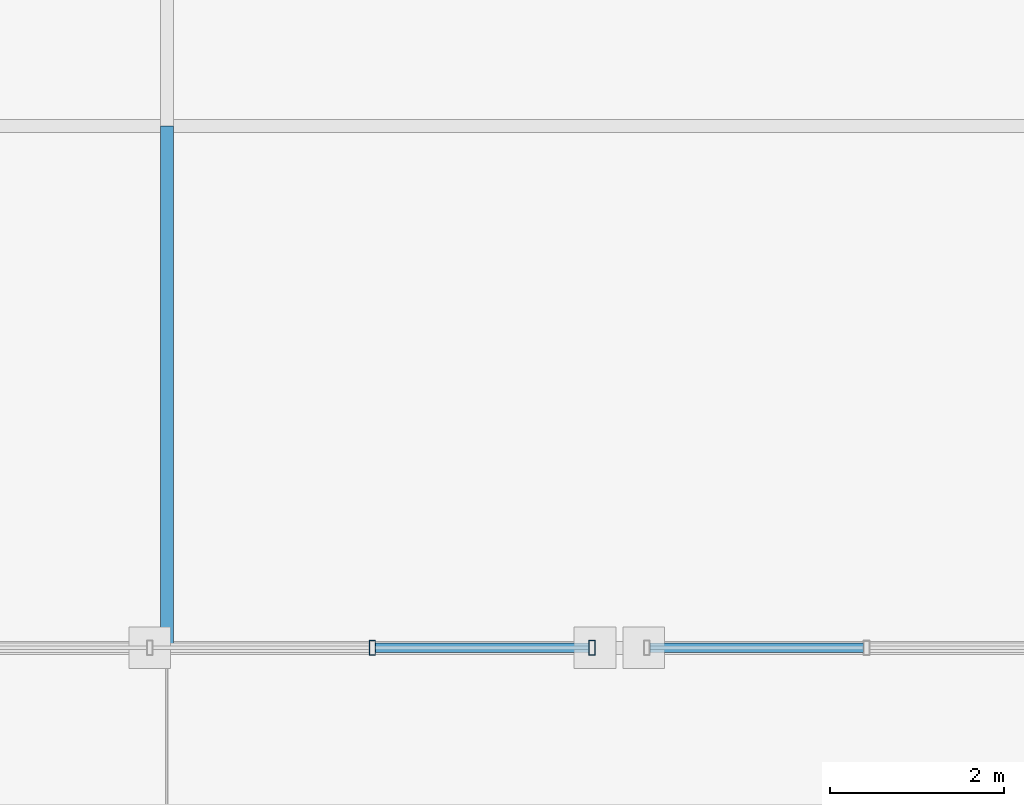
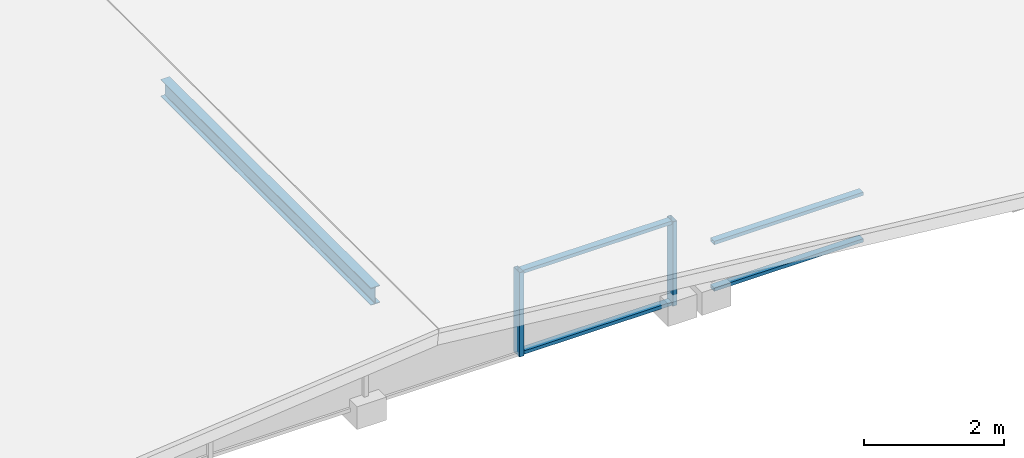
# One storey, part 46 of 117: 7 members, 2 elements without a shape of their own.
"""IFC4 building model written with IfcOpenShell, lengths in metres."""

from ifc_helpers import new_model, si_unit, direction, frame, origin, origin_2d, place, context, subcontext, project, spatial, hollow_rectangle, i_section, extrude, material, material_profile, profile_set, type_object, element, aggregate, save


model = new_model("IFC4")

# Units and contexts
model_context = context("Model", 3, precision=1e-05, world=origin(), true_north=direction((0.0, 1.0)))
body_context = subcontext(model_context, "Body", "Model", "MODEL_VIEW")
ifc_project = project(units=[si_unit("LENGTHUNIT", "METRE"), si_unit("AREAUNIT", "SQUARE_METRE"), si_unit("VOLUMEUNIT", "CUBIC_METRE"), si_unit("PLANEANGLEUNIT", "RADIAN"), si_unit("MASSUNIT", "GRAM", prefix="KILO")], contexts=[model_context])

# Site, building, storey
site_placement = place(None, origin())
site = spatial("IfcSite", under=ifc_project, at=site_placement, CompositionType="ELEMENT")
building_placement = place(site_placement, origin())
building = spatial("IfcBuilding", under=site, at=building_placement, Name="Merenkruunu Market Hall", CompositionType="ELEMENT")
storey_placement = place(building_placement, frame((0.0, 0.0, 22.800048828125)))
storey = spatial("IfcBuildingStorey", under=building, at=storey_placement, Name="RF", CompositionType="ELEMENT", Elevation=22.800048828125)

# Curtain wall, members
ifc_material_1 = material(Name="Powder-coated aluminium", Category="aluminium")
curtain_wall_type = type_object("IfcCurtainWallType", Name="Clerestory Curtain Band CL03", PredefinedType="USERDEFINED", material=ifc_material_1)
curtain_wall_1_placement = place(storey_placement, origin())
curtain_wall_1 = element("IfcCurtainWall", 1, at=curtain_wall_1_placement, inside=storey, type_object=curtain_wall_type, Name="CW-RF-CWM04-244", ObjectType="CLERESTORY_BAND", PredefinedType="USERDEFINED")
ifc_material_profile_1 = material_profile(ifc_material_1, hollow_rectangle(XDim=0.070068359375, YDim=0.169921875, WallThickness=0.0048828125, at=origin_2d()), Name="ALU 70x170x5")
ifc_profile_set_1 = profile_set([ifc_material_profile_1], Name="Powder-coated aluminium")
member_type_1 = type_object("IfcMemberType", Name="Curtain Wall Mullion CWM04", PredefinedType="MULLION", material=ifc_profile_set_1)
member_1_placement = place(storey_placement, frame((180.885009765625, 0.0, -1.719970703125), z_axis=(0.0, 0.0, 1.0), x_axis=(-1.0, 0.0, 0.0)))
member_1 = element("IfcMember", 2, at=member_1_placement, type_object=member_type_1, Name="CL03 mullion 1", PredefinedType="MULLION", context=body_context, shape_type="SweptSolid", body=[
    extrude(hollow_rectangle(XDim=0.070068359375, YDim=0.169921875, WallThickness=0.0048828125, at=origin_2d()), origin(), (0.0, 0.0, 1.0), 1.469970703125),
])
member_2_placement = place(storey_placement, frame((178.360107421875, 0.0, -1.719970703125), z_axis=(0.0, 0.0, 1.0), x_axis=(-1.0, 0.0, 0.0)))
member_2 = element("IfcMember", 3, at=member_2_placement, type_object=member_type_1, Name="CL03 mullion 2", PredefinedType="MULLION", context=body_context, shape_type="SweptSolid", body=[
    extrude(hollow_rectangle(XDim=0.070068359375, YDim=0.169921875, WallThickness=0.0048828125, at=origin_2d()), origin(), (0.0, 0.0, 1.0), 1.469970703125),
])
ifc_material_profile_2 = material_profile(ifc_material_1, hollow_rectangle(XDim=0.06005859375, YDim=0.110107421875, WallThickness=0.00390625, at=origin_2d()), Name="ALU 60x110x4")
ifc_profile_set_2 = profile_set([ifc_material_profile_2], Name="Powder-coated aluminium")
member_type_2 = type_object("IfcMemberType", Name="Curtain Wall Transom CWT03", PredefinedType="USERDEFINED", material=ifc_profile_set_2)
member_3_placement = place(storey_placement, frame((180.85009765625, 0.0, -1.68994140625), z_axis=(-1.0, 0.0, 0.0), x_axis=(0.0, 0.0, 1.0)))
member_3 = element("IfcMember", 4, at=member_3_placement, type_object=member_type_2, Name="CL03 transom 1.1", ObjectType="TRANSOM", PredefinedType="USERDEFINED", context=body_context, shape_type="SweptSolid", body=[
    extrude(hollow_rectangle(XDim=0.06005859375, YDim=0.110107421875, WallThickness=0.00390625, at=origin_2d()), origin(), (0.0, 0.0, 1.0), 2.455078125),
])
member_4_placement = place(storey_placement, frame((180.85009765625, 0.0, -0.280029296875), z_axis=(-1.0, 0.0, 0.0), x_axis=(0.0, 0.0, 1.0)))
member_4 = element("IfcMember", 5, at=member_4_placement, type_object=member_type_2, Name="CL03 transom 1.2", ObjectType="TRANSOM", PredefinedType="USERDEFINED", context=body_context, shape_type="SweptSolid", body=[
    extrude(hollow_rectangle(XDim=0.06005859375, YDim=0.110107421875, WallThickness=0.00390625, at=origin_2d()), origin(), (0.0, 0.0, 1.0), 2.455078125),
])
aggregate(curtain_wall_1, [member_1, member_2, member_3, member_4])

curtain_wall_2_placement = place(storey_placement, origin())
curtain_wall_2 = element("IfcCurtainWall", 6, at=curtain_wall_2_placement, inside=storey, type_object=curtain_wall_type, Name="CW-RF-CWM04-246", ObjectType="CLERESTORY_BAND", PredefinedType="USERDEFINED")
member_5_placement = place(storey_placement, frame((184.0048828125, 0.0, -1.68994140625), z_axis=(-1.0, 0.0, 0.0), x_axis=(0.0, 0.0, 1.0)))
member_5 = element("IfcMember", 7, at=member_5_placement, type_object=member_type_2, Name="CL03 transom 4.1", ObjectType="TRANSOM", PredefinedType="USERDEFINED", context=body_context, shape_type="SweptSolid", body=[
    extrude(hollow_rectangle(XDim=0.06005859375, YDim=0.110107421875, WallThickness=0.00390625, at=origin_2d()), origin(), (0.0, 0.0, 1.0), 2.454833984375),
])
member_6_placement = place(storey_placement, frame((184.0048828125, 0.0, -0.880126953125), z_axis=(-1.0, 0.0, 0.0), x_axis=(0.0, 0.0, 1.0)))
member_6 = element("IfcMember", 8, at=member_6_placement, type_object=member_type_2, Name="CL03 transom 4.2", ObjectType="TRANSOM", PredefinedType="USERDEFINED", context=body_context, shape_type="SweptSolid", body=[
    extrude(hollow_rectangle(XDim=0.06005859375, YDim=0.110107421875, WallThickness=0.00390625, at=origin_2d()), origin(), (0.0, 0.0, 1.0), 2.454833984375),
])
aggregate(curtain_wall_2, [member_5, member_6])

# Member
ifc_material_2 = material(Name="Steel S355ML", Category="steel")
ifc_material_profile_3 = material_profile(ifc_material_2, i_section(OverallWidth=0.14990234375, OverallDepth=0.300048828125, WebThickness=0.007080078125, FlangeThickness=0.0107421875, FilletRadius=0.014892578125, at=origin_2d()), Name="IPE 300")
ifc_profile_set_3 = profile_set([ifc_material_profile_3], Name="Steel S355ML")
member_type_3 = type_object("IfcMemberType", Name="Roof Purlin Rafter PR01", PredefinedType="PURLIN", material=ifc_profile_set_3)
member_7_placement = place(storey_placement, frame((176.0, 0.0, 0.119873046875), z_axis=(0.0, 1.0, 0.0), x_axis=(-1.0, 0.0, 0.0)))
element("IfcMember", 9, at=member_7_placement, inside=storey, type_object=member_type_3, Name="MEM-V3-RIDGE-00", PredefinedType="PURLIN", context=body_context, shape_type="SweptSolid", body=[
    extrude(i_section(OverallWidth=0.14990234375, OverallDepth=0.300048828125, WebThickness=0.007080078125, FlangeThickness=0.0107421875, FilletRadius=0.014892578125, at=origin_2d()), origin(), (0.0, 0.0, 1.0), 6.0),
])

save(model, "model.ifc")
